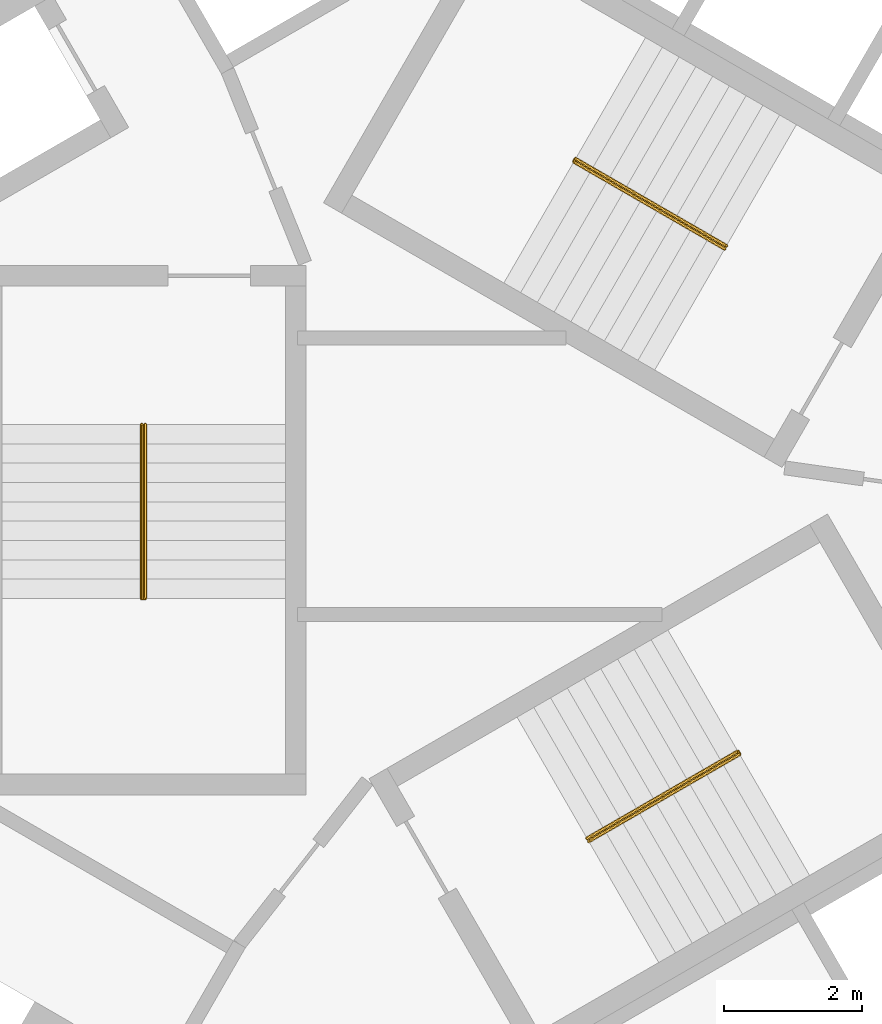
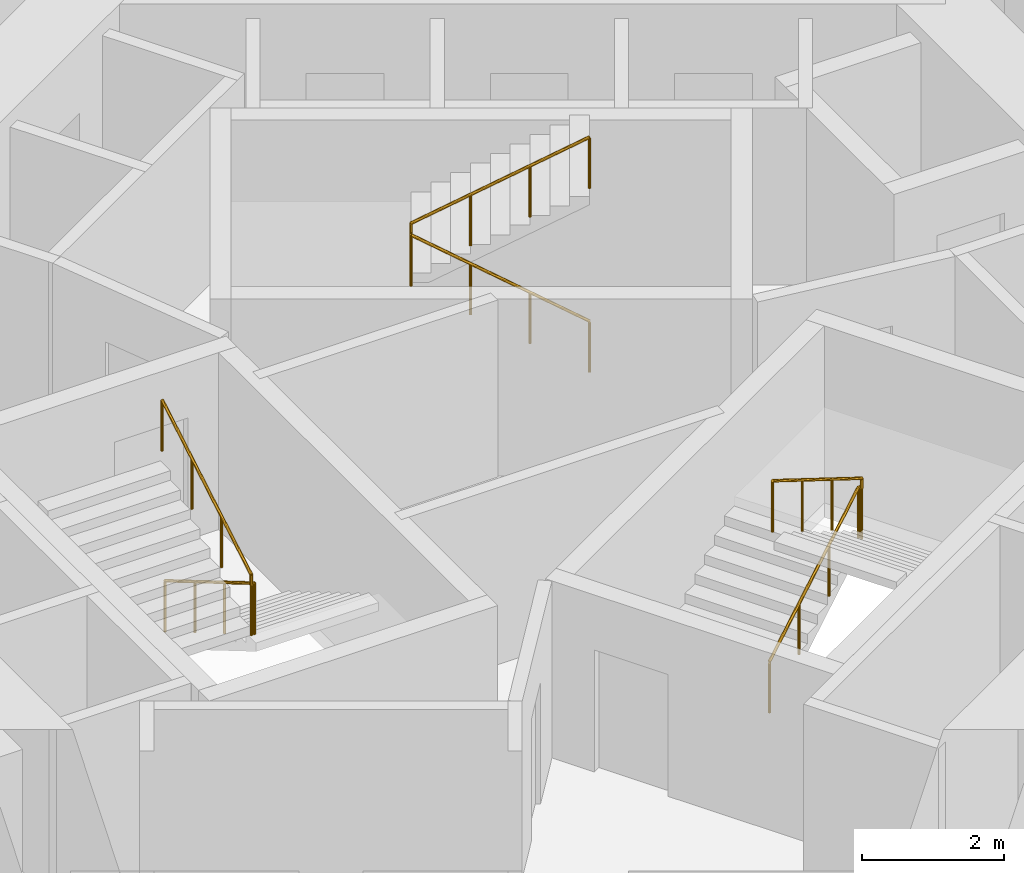
# One storey, part 12 of 12: 3 railings.
"""IFC4 building model written with IfcOpenShell, lengths in metres."""

from ifc_helpers import new_model, si_unit, direction, frame, origin, origin_2d, place, context, subcontext, project, spatial, circle, extrude, material, type_object, element, save


model = new_model("IFC4")

# Units and contexts
model_context = context("Model", 3, precision=1e-05, world=origin(), true_north=direction((0.0, 1.0)))
body_context = subcontext(model_context, "Body", "Model", "MODEL_VIEW")
ifc_project = project(units=[si_unit("LENGTHUNIT", "METRE"), si_unit("AREAUNIT", "SQUARE_METRE"), si_unit("VOLUMEUNIT", "CUBIC_METRE"), si_unit("PLANEANGLEUNIT", "RADIAN"), si_unit("MASSUNIT", "GRAM", prefix="KILO")], contexts=[model_context])

# Site, building, storey
site_placement = place(None, origin())
site = spatial("IfcSite", under=ifc_project, at=site_placement, CompositionType="ELEMENT")
building_placement = place(site_placement, origin())
building = spatial("IfcBuilding", under=site, at=building_placement, Name="Vanh Sen Convention Tower", CompositionType="ELEMENT")
storey_placement = place(building_placement, frame((0.0, 0.0, 90.199951171875)))
storey = spatial("IfcBuildingStorey", under=building, at=storey_placement, Name="L20", CompositionType="ELEMENT", Elevation=90.199951171875)

# Railings
ifc_material = material(Name="Stainless steel handrail", Category="steel")
railing_type = type_object("IfcRailingType", Name="Stair handrail 900", PredefinedType="HANDRAIL", material=ifc_material)
railing_1_placement = place(storey_placement, frame((3.45849609375, 3.690185546875, 0.1650390625)))
element("IfcRailing", 1, at=railing_1_placement, inside=storey, type_object=railing_type, Name="Stair handrail ST1 L20", PredefinedType="HANDRAIL", context=body_context, shape_type="SweptSolid", body=[
    extrude(circle(Radius=0.02392578125, at=origin_2d()), frame((0.0, 0.0, 0.8759765625), z_axis=(-0.746134546661, 0.430738299252, 0.507688640642), x_axis=(-0.499962843328, -0.866046855136, 0.0)), (0.0, 0.0, 1.0), 2.92529296875),
    extrude(circle(Radius=0.02392578125, at=origin_2d()), frame((-2.1826171875, 1.260009765625, 2.36083984375), z_axis=(0.502959906984, 0.86430974307, 0.0), x_axis=(-0.86430974307, 0.502959906984, 0.0)), (0.0, 0.0, 1.0), 0.050048828125),
    extrude(circle(Radius=0.02392578125, at=origin_2d()), frame((-2.157470703125, 1.30322265625, 2.36083984375), z_axis=(0.0, 0.0, 1.0), x_axis=(1.0, 0.0, 0.0)), (0.0, 0.0, 1.0), 0.164794921875),
    extrude(circle(Radius=0.02392578125, at=origin_2d()), frame((-2.157470703125, 1.30322265625, 2.52587890625), z_axis=(0.746097546679, -0.430765123438, 0.507720256902), x_axis=(0.500004791531, 0.866022637375, 0.0)), (0.0, 0.0, 1.0), 2.925048828125),
    extrude(circle(Radius=0.02099609375, at=origin_2d()), origin(), (0.0, 0.0, 1.0), 0.851806640625),
    extrude(circle(Radius=0.02099609375, at=origin_2d()), frame((-0.7275390625, 0.419921875, 0.4951171875)), (0.0, 0.0, 1.0), 0.851806640625),
    extrude(circle(Radius=0.02099609375, at=origin_2d()), frame((-1.455078125, 0.840087890625, 0.989990234375)), (0.0, 0.0, 1.0), 0.851806640625),
    extrude(circle(Radius=0.02099609375, at=origin_2d()), frame((-2.1826171875, 1.260009765625, 1.485107421875)), (0.0, 0.0, 1.0), 0.851806640625),
    extrude(circle(Radius=0.02099609375, at=origin_2d()), frame((-2.157470703125, 1.30322265625, 1.485107421875)), (0.0, 0.0, 1.0), 0.851806640625),
    extrude(circle(Radius=0.02099609375, at=origin_2d()), frame((-2.157470703125, 1.30322265625, 1.64990234375)), (0.0, 0.0, 1.0), 0.851806640625),
    extrude(circle(Radius=0.02099609375, at=origin_2d()), frame((-1.429931640625, 0.88330078125, 2.14501953125)), (0.0, 0.0, 1.0), 0.851806640625),
    extrude(circle(Radius=0.02099609375, at=origin_2d()), frame((-0.70263671875, 0.463134765625, 2.639892578125)), (0.0, 0.0, 1.0), 0.851806640625),
    extrude(circle(Radius=0.02099609375, at=origin_2d()), frame((0.02490234375, 0.043212890625, 3.135009765625)), (0.0, 0.0, 1.0), 0.851806640625),
])
railing_2_placement = place(storey_placement, frame((-4.925048828125, 1.14990234375, 0.1650390625)))
element("IfcRailing", 2, at=railing_2_placement, inside=storey, type_object=railing_type, Name="Stair handrail ST2 L20", PredefinedType="HANDRAIL", context=body_context, shape_type="SweptSolid", body=[
    extrude(circle(Radius=0.02392578125, at=origin_2d()), frame((0.0, 0.0, 0.8759765625), z_axis=(0.0, -0.86152411907, 0.507716645641), x_axis=(1.0, 0.0, 0.0)), (0.0, 0.0, 1.0), 2.925048828125),
    extrude(circle(Radius=0.02392578125, at=origin_2d()), frame((0.0, -2.52001953125, 2.36083984375), z_axis=(-1.0, 0.0, 0.0), x_axis=(0.0, -1.0, 0.0)), (0.0, 0.0, 1.0), 0.050048828125),
    extrude(circle(Radius=0.02392578125, at=origin_2d()), frame((-0.050048828125, -2.52001953125, 2.36083984375), z_axis=(0.0, 0.0, 1.0), x_axis=(1.0, 0.0, 0.0)), (0.0, 0.0, 1.0), 0.164794921875),
    extrude(circle(Radius=0.02392578125, at=origin_2d()), frame((-0.050048828125, -2.52001953125, 2.52587890625), z_axis=(0.0, 0.86152411907, 0.507716645641), x_axis=(-1.0, 0.0, 0.0)), (0.0, 0.0, 1.0), 2.925048828125),
    extrude(circle(Radius=0.02099609375, at=origin_2d()), origin(), (0.0, 0.0, 1.0), 0.851806640625),
    extrude(circle(Radius=0.02099609375, at=origin_2d()), frame((0.0, -0.840087890625, 0.4951171875)), (0.0, 0.0, 1.0), 0.851806640625),
    extrude(circle(Radius=0.02099609375, at=origin_2d()), frame((0.0, -1.679931640625, 0.989990234375)), (0.0, 0.0, 1.0), 0.851806640625),
    extrude(circle(Radius=0.02099609375, at=origin_2d()), frame((0.0, -2.52001953125, 1.485107421875)), (0.0, 0.0, 1.0), 0.851806640625),
    extrude(circle(Radius=0.02099609375, at=origin_2d()), frame((-0.050048828125, -2.52001953125, 1.485107421875)), (0.0, 0.0, 1.0), 0.851806640625),
    extrude(circle(Radius=0.02099609375, at=origin_2d()), frame((-0.050048828125, -2.52001953125, 1.64990234375)), (0.0, 0.0, 1.0), 0.851806640625),
    extrude(circle(Radius=0.02099609375, at=origin_2d()), frame((-0.050048828125, -1.679931640625, 2.14501953125)), (0.0, 0.0, 1.0), 0.851806640625),
    extrude(circle(Radius=0.02099609375, at=origin_2d()), frame((-0.050048828125, -0.840087890625, 2.639892578125)), (0.0, 0.0, 1.0), 0.851806640625),
    extrude(circle(Radius=0.02099609375, at=origin_2d()), frame((-0.050048828125, 0.0, 3.135009765625)), (0.0, 0.0, 1.0), 0.851806640625),
])
railing_3_placement = place(storey_placement, frame((1.466552734375, -4.840087890625, 0.1650390625)))
element("IfcRailing", 3, at=railing_3_placement, inside=storey, type_object=railing_type, Name="Stair handrail ST3 L20", PredefinedType="HANDRAIL", context=body_context, shape_type="SweptSolid", body=[
    extrude(circle(Radius=0.02392578125, at=origin_2d()), frame((0.0, 0.0, 0.8759765625), z_axis=(0.746097546679, 0.430765123438, 0.507720256902), x_axis=(-0.500004791531, 0.866022637375, 0.0)), (0.0, 0.0, 1.0), 2.925048828125),
    extrude(circle(Radius=0.02392578125, at=origin_2d()), frame((2.182373046875, 1.260009765625, 2.36083984375), z_axis=(0.500844580232, -0.86553723574, 0.0), x_axis=(0.86553723574, 0.500844580232, 0.0)), (0.0, 0.0, 1.0), 0.05029296875),
    extrude(circle(Radius=0.02392578125, at=origin_2d()), frame((2.20751953125, 1.216552734375, 2.36083984375), z_axis=(0.0, 0.0, 1.0), x_axis=(1.0, 0.0, 0.0)), (0.0, 0.0, 1.0), 0.164794921875),
    extrude(circle(Radius=0.02392578125, at=origin_2d()), frame((2.20751953125, 1.216552734375, 2.52587890625), z_axis=(-0.746097546679, -0.430765123438, 0.507720256902), x_axis=(0.500004791531, -0.866022637375, 0.0)), (0.0, 0.0, 1.0), 2.925048828125),
    extrude(circle(Radius=0.02099609375, at=origin_2d()), origin(), (0.0, 0.0, 1.0), 0.851806640625),
    extrude(circle(Radius=0.02099609375, at=origin_2d()), frame((0.7275390625, 0.419921875, 0.4951171875)), (0.0, 0.0, 1.0), 0.851806640625),
    extrude(circle(Radius=0.02099609375, at=origin_2d()), frame((1.454833984375, 0.840087890625, 0.989990234375)), (0.0, 0.0, 1.0), 0.851806640625),
    extrude(circle(Radius=0.02099609375, at=origin_2d()), frame((2.182373046875, 1.260009765625, 1.485107421875)), (0.0, 0.0, 1.0), 0.851806640625),
    extrude(circle(Radius=0.02099609375, at=origin_2d()), frame((2.20751953125, 1.216552734375, 1.485107421875)), (0.0, 0.0, 1.0), 0.851806640625),
    extrude(circle(Radius=0.02099609375, at=origin_2d()), frame((2.20751953125, 1.216552734375, 1.64990234375)), (0.0, 0.0, 1.0), 0.851806640625),
    extrude(circle(Radius=0.02099609375, at=origin_2d()), frame((1.47998046875, 0.796630859375, 2.14501953125)), (0.0, 0.0, 1.0), 0.851806640625),
    extrude(circle(Radius=0.02099609375, at=origin_2d()), frame((0.752685546875, 0.37646484375, 2.639892578125)), (0.0, 0.0, 1.0), 0.851806640625),
    extrude(circle(Radius=0.02099609375, at=origin_2d()), frame((0.025146484375, -0.04345703125, 3.135009765625)), (0.0, 0.0, 1.0), 0.851806640625),
])

save(model, "model.ifc")
